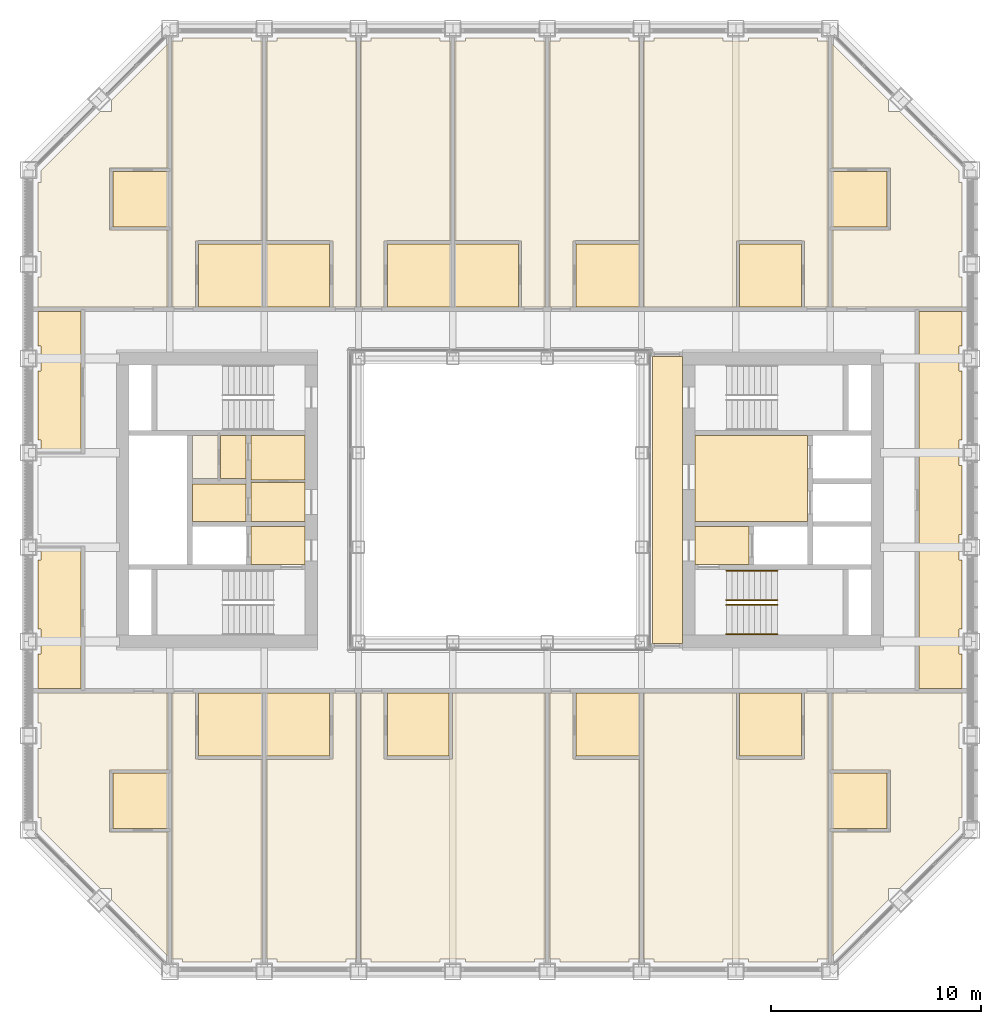
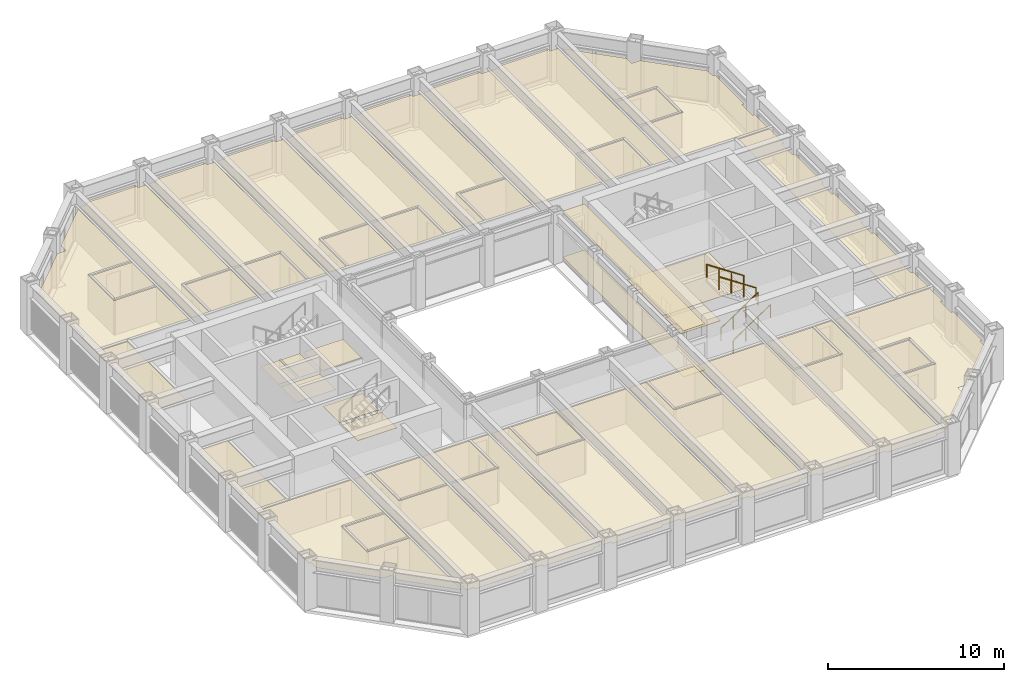
# One storey, part 16 of 17: 5 coverings, 4 railings.
"""IFC4 building model written with IfcOpenShell, lengths in metres."""

from ifc_helpers import new_model, si_unit, direction, frame, origin, origin_2d, place, context, subcontext, project, spatial, line, indexed_curve, circle, outline, extrude, material, layer, layer_set, type_object, element, save


model = new_model("IFC4")

# Units and contexts
model_context = context("Model", 3, precision=1e-05, world=origin(), true_north=direction((0.0, 1.0)))
body_context = subcontext(model_context, "Body", "Model", "MODEL_VIEW")
ifc_project = project(units=[si_unit("LENGTHUNIT", "METRE"), si_unit("AREAUNIT", "SQUARE_METRE"), si_unit("VOLUMEUNIT", "CUBIC_METRE"), si_unit("PLANEANGLEUNIT", "RADIAN"), si_unit("MASSUNIT", "GRAM", prefix="KILO")], contexts=[model_context])

# Site, building, storey
site_placement = place(None, origin())
site = spatial("IfcSite", under=ifc_project, at=site_placement, CompositionType="ELEMENT")
building_placement = place(site_placement, origin())
building = spatial("IfcBuilding", under=site, at=building_placement, Name="Msasa Ring Tower", CompositionType="ELEMENT")
storey_placement = place(building_placement, frame((0.0, 0.0, 147.199951171875)))
storey = spatial("IfcBuildingStorey", under=building, at=storey_placement, Name="L38", CompositionType="ELEMENT", Elevation=147.199951171875)

# Coverings
ifc_material_1 = material(Name="Gypsum plasterboard on a steel suspension grid", Category="steel")
ifc_layer_1 = layer(ifc_material_1, 0.014892578125)
ifc_layer_set_1 = layer_set([ifc_layer_1], Name="C1 SUSPENDED PLASTERBOARD CEILING 15")
covering_type_1 = type_object("IfcCoveringType", Name="C1 SUSPENDED PLASTERBOARD CEILING 15", PredefinedType="CEILING", material=ifc_layer_set_1)
covering_1_placement = place(storey_placement, frame((0.0, 0.0, 3.199951171875)))
element("IfcCovering", 1, at=covering_1_placement, inside=storey, type_object=covering_type_1, Name="Suspended Plasterboard Ceiling 15 public rooms L38", PredefinedType="CEILING", context=body_context, shape_type="SweptSolid", body=[
    extrude(outline(indexed_curve([(8.699462890625, 6.849609375), (8.699462890625, -6.849609375), (7.280029296875, -6.849609375), (7.280029296875, 6.849609375)], segments=[line(1, 2, 3, 4, 1)], self_intersect=False)), origin(), (0.0, 0.0, 1.0), 0.01513671875),
])
covering_2_placement = place(storey_placement, frame((0.0, 0.0, 2.407958984375)))
element("IfcCovering", 2, at=covering_2_placement, inside=storey, type_object=covering_type_1, Name="Suspended Plasterboard Ceiling 15 L38", PredefinedType="CEILING", context=body_context, shape_type="SweptSolid", body=[
    extrude(outline(indexed_curve([(-15.8505859375, -21.762451171875), (-18.5244140625, -19.08837890625), (-18.5244140625, -18.5244140625), (-19.08837890625, -18.5244140625), (-21.8994140625, -15.71337890625), (-21.8994140625, -15.1494140625), (-22.049560546875, -15.1494140625), (-22.049560546875, -11.8505859375), (-21.8994140625, -11.8505859375), (-21.8994140625, -10.6494140625), (-22.049560546875, -10.6494140625), (-22.049560546875, -9.200439453125), (-15.8505859375, -9.200439453125), (-15.8505859375, -12.869384765625), (-18.630615234375, -12.869384765625), (-18.630615234375, -15.83056640625), (-15.8505859375, -15.83056640625)], segments=[line(1, 2, 3, 4, 5, 6, 7, 8, 9, 10, 11, 12, 13, 14, 15, 16, 17, 1)], self_intersect=False)), origin(), (0.0, 0.0, 1.0), 0.01513671875),
    extrude(outline(indexed_curve([(-18.630615234375, 12.869384765625), (-15.8505859375, 12.869384765625), (-15.8505859375, 9.200439453125), (-22.049560546875, 9.200439453125), (-22.049560546875, 10.6494140625), (-21.8994140625, 10.6494140625), (-21.8994140625, 11.8505859375), (-22.049560546875, 11.8505859375), (-22.049560546875, 15.1494140625), (-21.8994140625, 15.1494140625), (-21.8994140625, 15.71337890625), (-19.08837890625, 18.5244140625), (-18.5244140625, 18.5244140625), (-18.5244140625, 19.08837890625), (-15.8505859375, 21.762451171875), (-15.8505859375, 15.83056640625), (-18.630615234375, 15.83056640625)], segments=[line(1, 2, 3, 4, 5, 6, 7, 8, 9, 10, 11, 12, 13, 14, 15, 16, 17, 1)], self_intersect=False)), origin(), (0.0, 0.0, 1.0), 0.01513671875),
    extrude(outline(indexed_curve([(-15.1494140625, -22.049560546875), (-15.1494140625, -21.8994140625), (-15.6494140625, -21.8994140625), (-15.6494140625, -9.200439453125), (-14.525390625, -9.200439453125), (-14.525390625, -12.35009765625), (-14.39990234375, -12.3505859375), (-14.39990234375, -12.37548828125), (-11.3505859375, -12.37548828125), (-11.3505859375, -21.8994140625), (-11.8505859375, -21.8994140625), (-11.8505859375, -22.049560546875)], segments=[line(1, 2, 3, 4, 5, 6, 7, 8, 9, 10, 11, 12, 1)], self_intersect=False)), origin(), (0.0, 0.0, 1.0), 0.01513671875),
    extrude(outline(indexed_curve([(-14.39990234375, 12.3505859375), (-14.525390625, 12.35009765625), (-14.525390625, 9.200439453125), (-15.6494140625, 9.200439453125), (-15.6494140625, 21.8994140625), (-15.1494140625, 21.8994140625), (-15.1494140625, 22.049560546875), (-11.8505859375, 22.049560546875), (-11.8505859375, 21.8994140625), (-11.3505859375, 21.8994140625), (-11.3505859375, 12.37548828125), (-14.39990234375, 12.37548828125)], segments=[line(1, 2, 3, 4, 5, 6, 7, 8, 9, 10, 11, 12, 1)], self_intersect=False)), origin(), (0.0, 0.0, 1.0), 0.01513671875),
    extrude(outline(indexed_curve([(-14.674560546875, 3.074462890625), (-13.45556640625, 3.074462890625), (-13.45556640625, 1.025390625), (-14.674560546875, 1.025390625)], segments=[line(1, 2, 3, 4, 1)], self_intersect=False)), origin(), (0.0, 0.0, 1.0), 0.01513671875),
    extrude(outline(indexed_curve([(-6.8505859375, -9.200439453125), (-6.8505859375, -21.8994140625), (-7.3505859375, -21.8994140625), (-7.3505859375, -22.049560546875), (-10.6494140625, -22.049560546875), (-10.6494140625, -21.8994140625), (-11.1494140625, -21.8994140625), (-11.1494140625, -12.37548828125), (-8.10009765625, -12.37548828125), (-8.10009765625, -12.3505859375), (-7.974609375, -12.35009765625), (-7.974609375, -9.200439453125)], segments=[line(1, 2, 3, 4, 5, 6, 7, 8, 9, 10, 11, 12, 1)], self_intersect=False)), origin(), (0.0, 0.0, 1.0), 0.01513671875),
    extrude(outline(indexed_curve([(-7.3505859375, 22.049560546875), (-7.3505859375, 21.8994140625), (-6.8505859375, 21.8994140625), (-6.8505859375, 9.200439453125), (-7.974609375, 9.200439453125), (-7.974609375, 12.35009765625), (-8.10009765625, 12.3505859375), (-8.10009765625, 12.37548828125), (-11.1494140625, 12.37548828125), (-11.1494140625, 21.8994140625), (-10.6494140625, 21.8994140625), (-10.6494140625, 22.049560546875)], segments=[line(1, 2, 3, 4, 5, 6, 7, 8, 9, 10, 11, 12, 1)], self_intersect=False)), origin(), (0.0, 0.0, 1.0), 0.01513671875),
    extrude(outline(indexed_curve([(-5.39990234375, -12.3505859375), (-5.39990234375, -12.37548828125), (-2.39990234375, -12.37548828125), (-2.39990234375, -12.3505859375), (-2.2744140625, -12.35009765625), (-2.2744140625, -9.200439453125), (2.1494140625, -9.200439453125), (2.1494140625, -21.8994140625), (1.6494140625, -21.8994140625), (1.6494140625, -22.049560546875), (-1.6494140625, -22.049560546875), (-1.6494140625, -21.8994140625), (-2.8505859375, -21.8994140625), (-2.8505859375, -22.049560546875), (-6.1494140625, -22.049560546875), (-6.1494140625, -21.8994140625), (-6.6494140625, -21.8994140625), (-6.6494140625, -9.200439453125), (-5.525390625, -9.200439453125), (-5.525390625, -12.35009765625)], segments=[line(1, 2, 3, 4, 5, 6, 7, 8, 9, 10, 11, 12, 13, 14, 15, 16, 17, 18, 19, 20, 1)], self_intersect=False)), origin(), (0.0, 0.0, 1.0), 0.01513671875),
    extrude(outline(indexed_curve([(-6.6494140625, 9.200439453125), (-6.6494140625, 21.8994140625), (-6.1494140625, 21.8994140625), (-6.1494140625, 22.049560546875), (-2.8505859375, 22.049560546875), (-2.8505859375, 21.8994140625), (-2.3505859375, 21.8994140625), (-2.3505859375, 12.37548828125), (-5.39990234375, 12.37548828125), (-5.39990234375, 12.3505859375), (-5.525390625, 12.35009765625), (-5.525390625, 9.200439453125)], segments=[line(1, 2, 3, 4, 5, 6, 7, 8, 9, 10, 11, 12, 1)], self_intersect=False)), origin(), (0.0, 0.0, 1.0), 0.01513671875),
    extrude(outline(indexed_curve([(1.6494140625, 22.049560546875), (1.6494140625, 21.8994140625), (2.1494140625, 21.8994140625), (2.1494140625, 9.200439453125), (1.025390625, 9.200439453125), (1.025390625, 12.35009765625), (0.89990234375, 12.3505859375), (0.89990234375, 12.37548828125), (-2.1494140625, 12.37548828125), (-2.1494140625, 21.8994140625), (-1.6494140625, 21.8994140625), (-1.6494140625, 22.049560546875)], segments=[line(1, 2, 3, 4, 5, 6, 7, 8, 9, 10, 11, 12, 1)], self_intersect=False)), origin(), (0.0, 0.0, 1.0), 0.01513671875),
    extrude(outline(indexed_curve([(2.8505859375, -22.049560546875), (2.8505859375, -21.8994140625), (2.3505859375, -21.8994140625), (2.3505859375, -9.200439453125), (3.474609375, -9.200439453125), (3.474609375, -12.35009765625), (3.60009765625, -12.3505859375), (3.60009765625, -12.37548828125), (6.6494140625, -12.37548828125), (6.6494140625, -21.8994140625), (6.1494140625, -21.8994140625), (6.1494140625, -22.049560546875)], segments=[line(1, 2, 3, 4, 5, 6, 7, 8, 9, 10, 11, 12, 1)], self_intersect=False)), origin(), (0.0, 0.0, 1.0), 0.01513671875),
    extrude(outline(indexed_curve([(2.3505859375, 9.200439453125), (2.3505859375, 21.8994140625), (2.8505859375, 21.8994140625), (2.8505859375, 22.049560546875), (6.1494140625, 22.049560546875), (6.1494140625, 21.8994140625), (6.6494140625, 21.8994140625), (6.6494140625, 12.37548828125), (3.60009765625, 12.37548828125), (3.60009765625, 12.3505859375), (3.474609375, 12.35009765625), (3.474609375, 9.200439453125)], segments=[line(1, 2, 3, 4, 5, 6, 7, 8, 9, 10, 11, 12, 1)], self_intersect=False)), origin(), (0.0, 0.0, 1.0), 0.01513671875),
    extrude(outline(indexed_curve([(11.2744140625, -12.35009765625), (11.39990234375, -12.3505859375), (11.39990234375, -12.37548828125), (14.39990234375, -12.37548828125), (14.39990234375, -12.3505859375), (14.525390625, -12.35009765625), (14.525390625, -9.200439453125), (15.6494140625, -9.200439453125), (15.6494140625, -21.8994140625), (15.1494140625, -21.8994140625), (15.1494140625, -22.049560546875), (11.8505859375, -22.049560546875), (11.8505859375, -21.8994140625), (10.6494140625, -21.8994140625), (10.6494140625, -22.049560546875), (7.3505859375, -22.049560546875), (7.3505859375, -21.8994140625), (6.8505859375, -21.8994140625), (6.8505859375, -9.200439453125), (11.2744140625, -9.200439453125)], segments=[line(1, 2, 3, 4, 5, 6, 7, 8, 9, 10, 11, 12, 13, 14, 15, 16, 17, 18, 19, 20, 1)], self_intersect=False)), origin(), (0.0, 0.0, 1.0), 0.01513671875),
    extrude(outline(indexed_curve([(14.525390625, 12.35009765625), (14.39990234375, 12.3505859375), (14.39990234375, 12.37548828125), (11.39990234375, 12.37548828125), (11.39990234375, 12.3505859375), (11.2744140625, 12.35009765625), (11.2744140625, 9.200439453125), (6.8505859375, 9.200439453125), (6.8505859375, 21.8994140625), (7.3505859375, 21.8994140625), (7.3505859375, 22.049560546875), (10.6494140625, 22.049560546875), (10.6494140625, 21.8994140625), (11.8505859375, 21.8994140625), (11.8505859375, 22.049560546875), (15.1494140625, 22.049560546875), (15.1494140625, 21.8994140625), (15.6494140625, 21.8994140625), (15.6494140625, 9.200439453125), (14.525390625, 9.200439453125)], segments=[line(1, 2, 3, 4, 5, 6, 7, 8, 9, 10, 11, 12, 13, 14, 15, 16, 17, 18, 19, 20, 1)], self_intersect=False)), origin(), (0.0, 0.0, 1.0), 0.01513671875),
    extrude(outline(indexed_curve([(18.630615234375, -12.869384765625), (15.8505859375, -12.869384765625), (15.8505859375, -9.200439453125), (22.049560546875, -9.200439453125), (22.049560546875, -10.6494140625), (21.8994140625, -10.6494140625), (21.8994140625, -11.8505859375), (22.049560546875, -11.8505859375), (22.049560546875, -15.1494140625), (21.8994140625, -15.1494140625), (21.8994140625, -15.71337890625), (19.08837890625, -18.5244140625), (18.5244140625, -18.5244140625), (18.5244140625, -19.08837890625), (15.8505859375, -21.762451171875), (15.8505859375, -15.83056640625), (18.630615234375, -15.83056640625)], segments=[line(1, 2, 3, 4, 5, 6, 7, 8, 9, 10, 11, 12, 13, 14, 15, 16, 17, 1)], self_intersect=False)), origin(), (0.0, 0.0, 1.0), 0.01513671875),
    extrude(outline(indexed_curve([(15.8505859375, 21.762451171875), (18.5244140625, 19.08837890625), (18.5244140625, 18.5244140625), (19.08837890625, 18.5244140625), (21.8994140625, 15.71337890625), (21.8994140625, 15.1494140625), (22.049560546875, 15.1494140625), (22.049560546875, 11.8505859375), (21.8994140625, 11.8505859375), (21.8994140625, 10.6494140625), (22.049560546875, 10.6494140625), (22.049560546875, 9.200439453125), (15.8505859375, 9.200439453125), (15.8505859375, 12.869384765625), (18.630615234375, 12.869384765625), (18.630615234375, 15.83056640625), (15.8505859375, 15.83056640625)], segments=[line(1, 2, 3, 4, 5, 6, 7, 8, 9, 10, 11, 12, 13, 14, 15, 16, 17, 1)], self_intersect=False)), origin(), (0.0, 0.0, 1.0), 0.01513671875),
])
ifc_material_2 = material(Name="Moisture-resistant gypsum plasterboard on a steel suspension grid", Category="steel")
ifc_layer_2 = layer(ifc_material_2, 0.014892578125)
ifc_layer_set_2 = layer_set([ifc_layer_2], Name="C2 MOISTURE-RESISTANT PLASTERBOARD CEILING 15")
covering_type_2 = type_object("IfcCoveringType", Name="C2 MOISTURE-RESISTANT PLASTERBOARD CEILING 15", PredefinedType="CEILING", material=ifc_layer_set_2)
covering_3_placement = place(storey_placement, frame((0.0, 0.0, 2.400146484375)))
element("IfcCovering", 3, at=covering_3_placement, inside=storey, type_object=covering_type_2, Name="Moisture-Resistant Plasterboard Ceiling 15 L38", PredefinedType="CEILING", context=body_context, shape_type="SweptSolid", body=[
    extrude(outline(indexed_curve([(-18.469482421875, -13.030517578125), (-15.8505859375, -13.030517578125), (-15.8505859375, -15.66943359375), (-18.469482421875, -15.66943359375)], segments=[line(1, 2, 3, 4, 1)], self_intersect=False)), origin(), (0.0, 0.0, 1.0), 0.014892578125),
    extrude(outline(indexed_curve([(-18.469482421875, 15.66943359375), (-15.8505859375, 15.66943359375), (-15.8505859375, 13.030517578125), (-18.469482421875, 13.030517578125)], segments=[line(1, 2, 3, 4, 1)], self_intersect=False)), origin(), (0.0, 0.0, 1.0), 0.014892578125),
    extrude(outline(indexed_curve([(-14.674560546875, 0.7744140625), (-12.12548828125, 0.7744140625), (-12.12548828125, -1.0244140625), (-14.674560546875, -1.0244140625)], segments=[line(1, 2, 3, 4, 1)], self_intersect=False)), origin(), (0.0, 0.0, 1.0), 0.014892578125),
    extrude(outline(indexed_curve([(-11.3505859375, -9.200439453125), (-11.3505859375, -12.224609375), (-14.37451171875, -12.224609375), (-14.37451171875, -9.200439453125)], segments=[line(1, 2, 3, 4, 1)], self_intersect=False)), origin(), (0.0, 0.0, 1.0), 0.014892578125),
    extrude(outline(indexed_curve([(-11.3505859375, 9.200439453125), (-14.37451171875, 9.200439453125), (-14.37451171875, 12.224609375), (-11.3505859375, 12.224609375)], segments=[line(1, 2, 3, 4, 1)], self_intersect=False)), origin(), (0.0, 0.0, 1.0), 0.014892578125),
    extrude(outline(indexed_curve([(-11.1494140625, -9.200439453125), (-8.12548828125, -9.200439453125), (-8.12548828125, -12.224609375), (-11.1494140625, -12.224609375)], segments=[line(1, 2, 3, 4, 1)], self_intersect=False)), origin(), (0.0, 0.0, 1.0), 0.014892578125),
    extrude(outline(indexed_curve([(-11.1494140625, 12.224609375), (-8.12548828125, 12.224609375), (-8.12548828125, 9.200439453125), (-11.1494140625, 9.200439453125)], segments=[line(1, 2, 3, 4, 1)], self_intersect=False)), origin(), (0.0, 0.0, 1.0), 0.014892578125),
    extrude(outline(indexed_curve([(-2.425537109375, -9.200439453125), (-2.425537109375, -12.224609375), (-5.37451171875, -12.224609375), (-5.37451171875, -9.200439453125)], segments=[line(1, 2, 3, 4, 1)], self_intersect=False)), origin(), (0.0, 0.0, 1.0), 0.014892578125),
    extrude(outline(indexed_curve([(-2.3505859375, 9.200439453125), (-5.37451171875, 9.200439453125), (-5.37451171875, 12.224609375), (-2.3505859375, 12.224609375)], segments=[line(1, 2, 3, 4, 1)], self_intersect=False)), origin(), (0.0, 0.0, 1.0), 0.014892578125),
    extrude(outline(indexed_curve([(-2.1494140625, 12.224609375), (0.87451171875, 12.224609375), (0.87451171875, 9.200439453125), (-2.1494140625, 9.200439453125)], segments=[line(1, 2, 3, 4, 1)], self_intersect=False)), origin(), (0.0, 0.0, 1.0), 0.014892578125),
    extrude(outline(indexed_curve([(6.6494140625, -9.200439453125), (6.6494140625, -12.224609375), (3.62548828125, -12.224609375), (3.62548828125, -9.200439453125)], segments=[line(1, 2, 3, 4, 1)], self_intersect=False)), origin(), (0.0, 0.0, 1.0), 0.014892578125),
    extrude(outline(indexed_curve([(6.6494140625, 9.200439453125), (3.62548828125, 9.200439453125), (3.62548828125, 12.224609375), (6.6494140625, 12.224609375)], segments=[line(1, 2, 3, 4, 1)], self_intersect=False)), origin(), (0.0, 0.0, 1.0), 0.014892578125),
    extrude(outline(indexed_curve([(14.37451171875, -9.200439453125), (14.37451171875, -12.224609375), (11.425537109375, -12.224609375), (11.425537109375, -9.200439453125)], segments=[line(1, 2, 3, 4, 1)], self_intersect=False)), origin(), (0.0, 0.0, 1.0), 0.014892578125),
    extrude(outline(indexed_curve([(11.425537109375, 9.200439453125), (11.425537109375, 12.224609375), (14.37451171875, 12.224609375), (14.37451171875, 9.200439453125)], segments=[line(1, 2, 3, 4, 1)], self_intersect=False)), origin(), (0.0, 0.0, 1.0), 0.014892578125),
    extrude(outline(indexed_curve([(15.8505859375, -13.030517578125), (18.469482421875, -13.030517578125), (18.469482421875, -15.66943359375), (15.8505859375, -15.66943359375)], segments=[line(1, 2, 3, 4, 1)], self_intersect=False)), origin(), (0.0, 0.0, 1.0), 0.014892578125),
    extrude(outline(indexed_curve([(15.8505859375, 15.66943359375), (18.469482421875, 15.66943359375), (18.469482421875, 13.030517578125), (15.8505859375, 13.030517578125)], segments=[line(1, 2, 3, 4, 1)], self_intersect=False)), origin(), (0.0, 0.0, 1.0), 0.014892578125),
])
ifc_material_3 = material(Name="Mineral fibre ceiling tiles on an exposed steel grid", Category="steel")
ifc_layer_3 = layer(ifc_material_3, 0.02001953125)
ifc_layer_set_3 = layer_set([ifc_layer_3], Name="C3 ACOUSTIC MINERAL FIBRE TILE CEILING 20")
covering_type_3 = type_object("IfcCoveringType", Name="C3 ACOUSTIC MINERAL FIBRE TILE CEILING 20", PredefinedType="CEILING", material=ifc_layer_set_3)
covering_4_placement = place(storey_placement, frame((0.0, 0.0, 2.408935546875)))
element("IfcCovering", 4, at=covering_4_placement, inside=storey, type_object=covering_type_3, Name="Acoustic Mineral Fibre Tile Ceiling 20 L38", PredefinedType="CEILING", context=body_context, shape_type="SweptSolid", body=[
    extrude(outline(indexed_curve([(-22.049560546875, -7.3505859375), (-21.8994140625, -7.3505859375), (-21.8994140625, -6.1494140625), (-22.049560546875, -6.1494140625), (-22.049560546875, -2.8505859375), (-21.8994140625, -2.8505859375), (-21.8994140625, -2.305419921875), (-20.00048828125, -2.305419921875), (-20.00048828125, -8.99951171875), (-22.049560546875, -8.99951171875)], segments=[line(1, 2, 3, 4, 5, 6, 7, 8, 9, 10, 1)], self_intersect=False)), origin(), (0.0, 0.0, 1.0), 0.02001953125),
    extrude(outline(indexed_curve([(-20.00048828125, 8.99951171875), (-20.00048828125, 2.305419921875), (-21.8994140625, 2.305419921875), (-21.8994140625, 2.8505859375), (-22.049560546875, 2.8505859375), (-22.049560546875, 6.1494140625), (-21.8994140625, 6.1494140625), (-21.8994140625, 7.3505859375), (-22.049560546875, 7.3505859375), (-22.049560546875, 8.99951171875)], segments=[line(1, 2, 3, 4, 5, 6, 7, 8, 9, 10, 1)], self_intersect=False)), origin(), (0.0, 0.0, 1.0), 0.02001953125),
    extrude(outline(indexed_curve([(-13.344482421875, 3.074462890625), (-12.12548828125, 3.074462890625), (-12.12548828125, 1.025390625), (-13.344482421875, 1.025390625)], segments=[line(1, 2, 3, 4, 1)], self_intersect=False)), origin(), (0.0, 0.0, 1.0), 0.02001953125),
    extrude(outline(indexed_curve([(-9.300537109375, 0.95556640625), (-11.87451171875, 0.95556640625), (-11.87451171875, 3.074462890625), (-9.300537109375, 3.074462890625)], segments=[line(1, 2, 3, 4, 1)], self_intersect=False)), origin(), (0.0, 0.0, 1.0), 0.02001953125),
    extrude(outline(indexed_curve([(22.049560546875, 8.99951171875), (22.049560546875, 7.3505859375), (21.8994140625, 7.3505859375), (21.8994140625, 6.1494140625), (22.049560546875, 6.1494140625), (22.049560546875, 2.8505859375), (21.8994140625, 2.8505859375), (21.8994140625, 1.6494140625), (22.049560546875, 1.6494140625), (22.049560546875, -1.6494140625), (21.8994140625, -1.6494140625), (21.8994140625, -2.8505859375), (22.049560546875, -2.8505859375), (22.049560546875, -6.1494140625), (21.8994140625, -6.1494140625), (21.8994140625, -7.3505859375), (22.049560546875, -7.3505859375), (22.049560546875, -8.99951171875), (20.00048828125, -8.99951171875), (20.00048828125, 8.99951171875)], segments=[line(1, 2, 3, 4, 5, 6, 7, 8, 9, 10, 11, 12, 13, 14, 15, 16, 17, 18, 19, 20, 1)], self_intersect=False)), origin(), (0.0, 0.0, 1.0), 0.02001953125),
])
ifc_material_4 = material(Name="Honed granite tiles on a mortar bed", Category="masonry")
ifc_layer_4 = layer(ifc_material_4, 0.030029296875)
ifc_layer_set_4 = layer_set([ifc_layer_4], Name="F1 HONED GRANITE ON BEDDING 30")
covering_type_4 = type_object("IfcCoveringType", Name="F1 HONED GRANITE ON BEDDING 30", PredefinedType="FLOORING", material=ifc_layer_set_4)
covering_5_placement = place(storey_placement, origin())
element("IfcCovering", 5, at=covering_5_placement, inside=storey, type_object=covering_type_4, Name="Honed Granite On Bedding 30 L38", PredefinedType="FLOORING", context=body_context, shape_type="SweptSolid", body=[
    extrude(outline(indexed_curve([(-11.87451171875, -3.074462890625), (-11.87451171875, -1.275390625), (-9.300537109375, -1.275390625), (-9.300537109375, -3.074462890625)], segments=[line(1, 2, 3, 4, 1)], self_intersect=False)), origin(), (0.0, 0.0, 1.0), 0.030029296875),
    extrude(outline(indexed_curve([(-11.87451171875, -1.0244140625), (-11.87451171875, 0.844482421875), (-9.300537109375, 0.844482421875), (-9.300537109375, -1.0244140625)], segments=[line(1, 2, 3, 4, 1)], self_intersect=False)), origin(), (0.0, 0.0, 1.0), 0.030029296875),
    extrude(outline(indexed_curve([(8.699462890625, 6.849609375), (8.699462890625, -6.849609375), (7.280029296875, -6.849609375), (7.280029296875, 6.849609375)], segments=[line(1, 2, 3, 4, 1)], self_intersect=False)), origin(), (0.0, 0.0, 1.0), 0.030029296875),
    extrude(outline(indexed_curve([(9.300537109375, -3.074462890625), (9.300537109375, -1.275390625), (11.87451171875, -1.275390625), (11.87451171875, -3.074462890625)], segments=[line(1, 2, 3, 4, 1)], self_intersect=False)), origin(), (0.0, 0.0, 1.0), 0.030029296875),
    extrude(outline(indexed_curve([(9.300537109375, 3.074462890625), (14.674560546875, 3.074462890625), (14.674560546875, -1.0244140625), (9.300537109375, -1.0244140625)], segments=[line(1, 2, 3, 4, 1)], self_intersect=False)), origin(), (0.0, 0.0, 1.0), 0.030029296875),
])

# Railings
ifc_material_5 = material(Name="Stainless steel", Category="steel")
railing_type = type_object("IfcRailingType", Name="HR1 HANDRAIL 900", PredefinedType="HANDRAIL", material=ifc_material_5)
for number, where, name in (
    (6, (10.800048828125, -6.39990234375, 0.179931640625), "Handrail stair SEA L38 1"),
    (7, (10.800048828125, -5.0, 0.179931640625), "Handrail stair SEA L38 2"),
):
    element("IfcRailing", number, at=place(storey_placement, frame(where)), inside=storey, type_object=railing_type, Name=name, PredefinedType="HANDRAIL", context=body_context, shape_type="SweptSolid", body=[
        extrude(circle(Radius=0.02392578125, at=origin_2d()), frame((0.0, 0.0, 0.8759765625), z_axis=(0.832024571796, 0.0, 0.554738778101), x_axis=(0.0, 1.0, 0.0)), (0.0, 0.0, 1.0), 2.92041015625),
        extrude(circle(Radius=0.02099609375, at=origin_2d()), origin(), (0.0, 0.0, 1.0), 0.851806640625),
        extrude(circle(Radius=0.02099609375, at=origin_2d()), frame((0.81005859375, 0.0, 0.5400390625)), (0.0, 0.0, 1.0), 0.851806640625),
        extrude(circle(Radius=0.02099609375, at=origin_2d()), frame((1.619873046875, 0.0, 1.080078125)), (0.0, 0.0, 1.0), 0.851806640625),
        extrude(circle(Radius=0.02099609375, at=origin_2d()), frame((2.429931640625, 0.0, 1.6201171875)), (0.0, 0.0, 1.0), 0.851806640625),
    ])
for number, where, name in (
    (8, (13.22998046875, -4.77490234375, 1.97998046875), "Handrail stair SEA L38 3"),
    (9, (13.22998046875, -3.375, 1.97998046875), "Handrail stair SEA L38 4"),
):
    element("IfcRailing", number, at=place(storey_placement, frame(where)), inside=storey, type_object=railing_type, Name=name, PredefinedType="HANDRAIL", context=body_context, shape_type="SweptSolid", body=[
        extrude(circle(Radius=0.02392578125, at=origin_2d()), frame((0.0, 0.0, 0.8759765625), z_axis=(-0.832024571796, 0.0, 0.554738778101), x_axis=(0.0, -1.0, 0.0)), (0.0, 0.0, 1.0), 2.92041015625),
        extrude(circle(Radius=0.02099609375, at=origin_2d()), origin(), (0.0, 0.0, 1.0), 0.851806640625),
        extrude(circle(Radius=0.02099609375, at=origin_2d()), frame((-0.81005859375, 0.0, 0.5400390625)), (0.0, 0.0, 1.0), 0.851806640625),
        extrude(circle(Radius=0.02099609375, at=origin_2d()), frame((-1.619873046875, 0.0, 1.080078125)), (0.0, 0.0, 1.0), 0.851806640625),
        extrude(circle(Radius=0.02099609375, at=origin_2d()), frame((-2.429931640625, 0.0, 1.6201171875)), (0.0, 0.0, 1.0), 0.851806640625),
    ])

save(model, "model.ifc")
